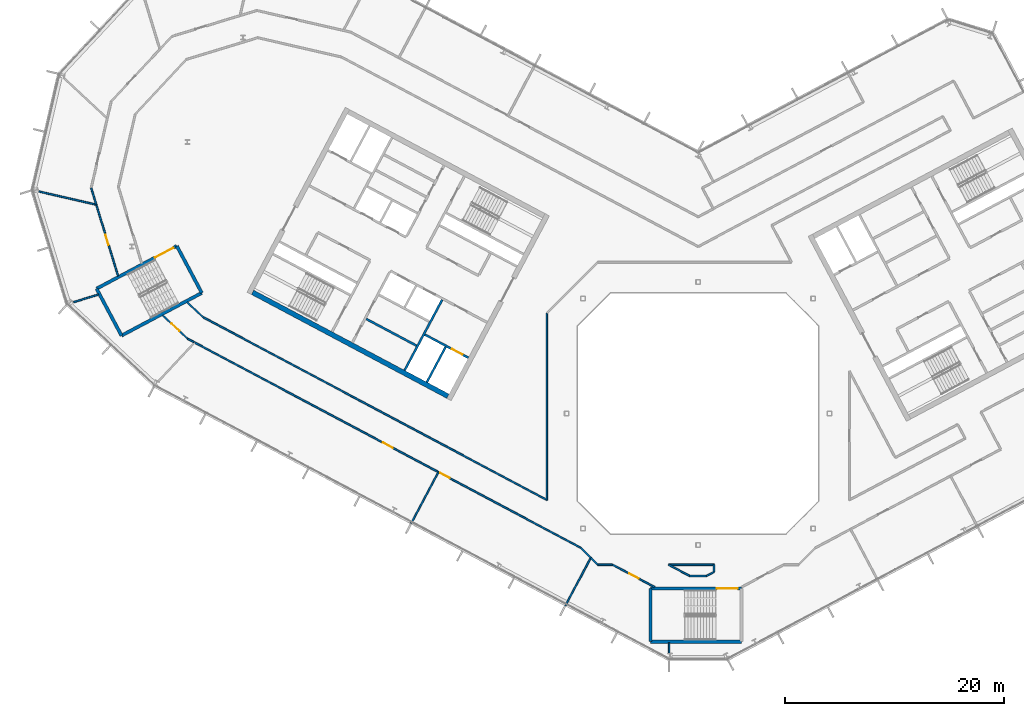
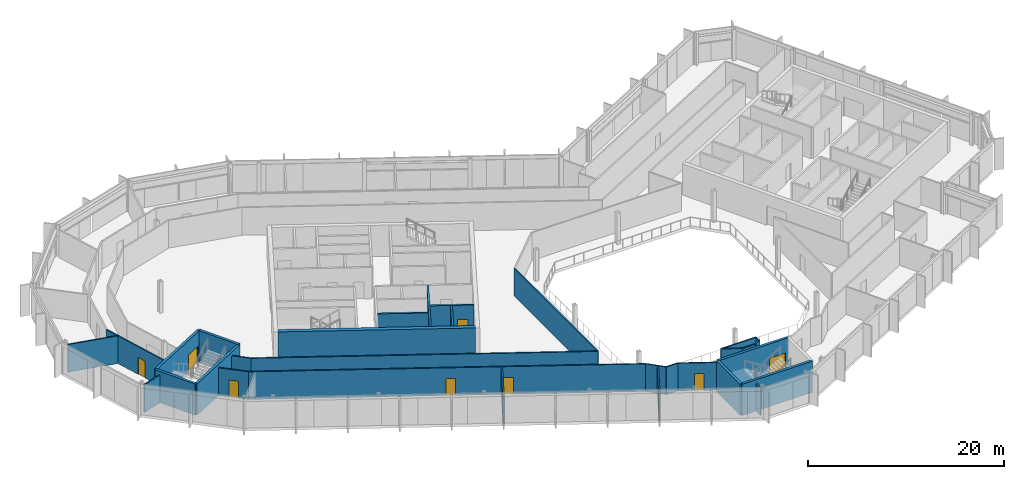
# One storey, part 13 of 26: 34 walls, 8 doors, 8 openings.
"""IFC4 building model written with IfcOpenShell, lengths in metres."""

from ifc_helpers import new_model, si_unit, direction, frame, frame_2d, origin, place, context, subcontext, project, spatial, rectangle, extrude, material, layer, layer_set, type_object, element, fill, save


model = new_model("IFC4")

# Units and contexts
model_context = context("Model", 3, precision=1e-05, world=origin(), true_north=direction((0.0, 1.0)))
body_context = subcontext(model_context, "Body", "Model", "MODEL_VIEW")
ifc_project = project(units=[si_unit("LENGTHUNIT", "METRE"), si_unit("AREAUNIT", "SQUARE_METRE"), si_unit("VOLUMEUNIT", "CUBIC_METRE"), si_unit("PLANEANGLEUNIT", "RADIAN"), si_unit("MASSUNIT", "GRAM", prefix="KILO")], contexts=[model_context])

# Site, building, storey
site_placement = place(None, origin())
site = spatial("IfcSite", under=ifc_project, at=site_placement, CompositionType="ELEMENT")
building_placement = place(site_placement, origin())
building = spatial("IfcBuilding", under=site, at=building_placement, Name="Cormorant Relay Tower", CompositionType="ELEMENT")
storey_placement = place(building_placement, frame((0.0, 0.0, 316.5)))
storey = spatial("IfcBuildingStorey", under=building, at=storey_placement, Name="L72", CompositionType="ELEMENT", Elevation=316.5)

# Walls
ifc_material_1 = material(Name="Concrete 40 MPa", Category="concrete")
ifc_layer_1 = layer(ifc_material_1, 0.199951171875)
ifc_layer_set_1 = layer_set([ifc_layer_1], Name="Core internal wall 200")
wall_type_1 = type_object("IfcWallType", Name="Core internal wall 200", PredefinedType="SOLIDWALL", material=ifc_layer_set_1)
wall_1_placement = place(storey_placement, frame((-25.701904296875, 6.19091796875, 0.0), z_axis=(0.0, 0.0, 1.0), x_axis=(-0.882934506056, 0.469496174655, 0.0)))
element("IfcWall", 1, at=wall_1_placement, inside=storey, type_object=wall_type_1, Name="L72 core A shaft and room wall", PredefinedType="SOLIDWALL", context=body_context, shape_type="SweptSolid", body=[
    extrude(rectangle(XDim=5.199951171875, YDim=0.199951171875, at=frame_2d((2.60009765625, 0.0))), origin(), (0.0, 0.0, 1.0), 3.89990234375),
])
ifc_material_2 = material(Name="Concrete 50 MPa", Category="concrete")
ifc_layer_2 = layer(ifc_material_2, 0.199951171875)
ifc_layer_set_2 = layer_set([ifc_layer_2], Name="Core shaft wall 200")
wall_type_2 = type_object("IfcWallType", Name="Core shaft wall 200", PredefinedType="SHEAR", material=ifc_layer_set_2)
wall_2_placement = place(storey_placement, frame((-23.04296875, 6.07958984375, 0.0), z_axis=(0.0, 0.0, 1.0), x_axis=(-0.469494272526, -0.882935517501, 0.0)))
element("IfcWall", 2, at=wall_2_placement, inside=storey, type_object=wall_type_2, Name="L72 core A shaft wall", PredefinedType="SHEAR", context=body_context, shape_type="SweptSolid", body=[
    extrude(rectangle(XDim=3.64990234375, YDim=0.199951171875, at=frame_2d((1.824951171875, 0.0))), origin(), (0.0, 0.0, 1.0), 3.89990234375),
])
wall_3_placement = place(storey_placement, frame((-23.360107421875, 10.38232421875, 0.0), z_axis=(0.0, 0.0, 1.0), x_axis=(-0.469480409012, -0.88294288918, 0.0)))
element("IfcWall", 3, at=wall_3_placement, inside=storey, type_object=wall_type_2, Name="L72 core A shaft wall", PredefinedType="SHEAR", context=body_context, shape_type="SweptSolid", body=[
    extrude(rectangle(XDim=7.300048828125, YDim=0.199951171875, at=frame_2d((3.64990234375, 0.0))), origin(), (0.0, 0.0, 1.0), 3.89990234375),
])

# Wall, opening, door
wall_4_placement = place(storey_placement, frame((-20.96533203125, 5.088134765625, 0.0), z_axis=(0.0, 0.0, 1.0), x_axis=(-0.882925986334, 0.469512196493, 0.0)))
wall_4 = element("IfcWall", 4, at=wall_4_placement, inside=storey, type_object=wall_type_2, Name="L72 core A shaft wall", PredefinedType="SHEAR", context=body_context, shape_type="SweptSolid", body=[
    extrude(rectangle(XDim=4.5, YDim=0.199951171875, at=frame_2d((2.25, 0.0))), origin(), (0.0, 0.0, 1.0), 3.89990234375),
])
opening_1_placement = place(wall_4_placement, frame((0.60009765625, 0.0, 0.0)))
opening_1 = element("IfcOpeningElement", 5, at=opening_1_placement, cuts=wall_4, Name="Opening LD1-063", PredefinedType="OPENING", context=body_context, shape_type="SweptSolid", body=[
    extrude(rectangle(XDim=1.10009765625, YDim=2.10009765625, at=frame_2d((0.550048828125, 1.050048828125))), frame((0.0, 0.10986328125, 0.0), z_axis=(0.0, -1.0, 0.0), x_axis=(1.0, 0.0, 0.0)), (0.0, 0.0, 1.0), 0.219970703125),
])
ifc_material_3 = material(Name="Stainless steel 316", Category="steel")
door_type_1 = type_object("IfcDoorType", Name="Lift landing door 1100x2100", OperationType="DOUBLE_DOOR_SLIDING", PredefinedType="DOOR", material=ifc_material_3)
door_1_placement = place(opening_1_placement, origin())
door_1 = element("IfcDoor", 6, at=door_1_placement, inside=storey, type_object=door_type_1, Name="FF1 landing door", OperationType="DOUBLE_DOOR_SLIDING", OverallHeight=2.10009765625, OverallWidth=1.10009765625, PredefinedType="DOOR", context=body_context, shape_type="SweptSolid", body=[
    extrude(rectangle(XDim=1.10009765625, YDim=2.10009765625, at=frame_2d((0.550048828125, 1.050048828125))), frame((0.0, 0.02490234375, 0.0), z_axis=(0.0, -1.0, 0.0), x_axis=(1.0, 0.0, 0.0)), (0.0, 0.0, 1.0), 0.050048828125),
])
fill(opening_1, door_1)

# Walls
ifc_material_4 = material(Name="Concrete 50 MPa", Category="concrete")
ifc_layer_3 = layer(ifc_material_4, 0.449951171875)
ifc_layer_set_3 = layer_set([ifc_layer_3], Name="Core wall 450")
wall_type_3 = type_object("IfcWallType", Name="Core wall 450", PredefinedType="SHEAR", material=ifc_layer_set_3)
wall_5_placement = place(storey_placement, frame((-22.83154296875, 1.578369140625, 0.0), z_axis=(0.0, 0.0, 1.0), x_axis=(-0.88294509198, 0.469476266226, 0.0)))
element("IfcWall", 7, at=wall_5_placement, inside=storey, type_object=wall_type_3, Name="L72 core A wall", PredefinedType="SHEAR", context=body_context, shape_type="SweptSolid", body=[
    extrude(rectangle(XDim=20.199951171875, YDim=0.449951171875, at=frame_2d((10.10009765625, 0.0))), origin(), (0.0, 0.0, 1.0), 3.89990234375),
])
ifc_material_5 = material(Name="Gypsum board fire partition")
ifc_layer_4 = layer(ifc_material_5, 0.14990234375)
ifc_layer_set_4 = layer_set([ifc_layer_4], Name="Corridor partition 150 EI 60")
wall_type_4 = type_object("IfcWallType", Name="Corridor partition 150 EI 60", PredefinedType="PARTITIONING", material=ifc_layer_set_4)
wall_6_placement = place(storey_placement, frame((-55.39111328125, 20.580078125, 0.0), z_axis=(0.0, 0.0, 1.0), x_axis=(0.292001611979, -0.956417826372, 0.0)))
element("IfcWall", 8, at=wall_6_placement, inside=storey, type_object=wall_type_4, Name="wall/L72/part/004", PredefinedType="PARTITIONING", context=body_context, shape_type="SweptSolid", body=[
    extrude(rectangle(XDim=1.57275390625, YDim=0.14990234375, at=frame_2d((0.786376953125, 0.0))), origin(), (0.0, 0.0, 1.0), 3.449951171875),
])

# Wall, opening, door
wall_7_placement = place(storey_placement, frame((-52.93701171875, 12.552001953125, 0.0), z_axis=(0.0, 0.0, 1.0), x_axis=(-0.292413096036, 0.956292100389, 0.0)))
wall_7 = element("IfcWall", 9, at=wall_7_placement, inside=storey, type_object=wall_type_4, Name="wall/L72/part/006", PredefinedType="PARTITIONING", context=body_context, shape_type="SweptSolid", body=[
    extrude(rectangle(XDim=6.822021484375, YDim=0.14990234375, at=frame_2d((3.4111328125, 0.0))), origin(), (0.0, 0.0, 1.0), 3.449951171875),
])
opening_2_placement = place(wall_7_placement, frame((2.949951171875, 0.0, 0.0)))
opening_2 = element("IfcOpeningElement", 10, at=opening_2_placement, cuts=wall_7, Name="Opening DS-269", PredefinedType="OPENING", context=body_context, shape_type="SweptSolid", body=[
    extrude(rectangle(XDim=1.0, YDim=2.10009765625, at=frame_2d((0.5, 1.050048828125))), frame((0.0, 0.0849609375, 0.0), z_axis=(0.0, -1.0, 0.0), x_axis=(1.0, 0.0, 0.0)), (0.0, 0.0, 1.0), 0.169921875),
])
ifc_material_6 = material(Name="Timber door leaf", Category="wood")
door_type_2 = type_object("IfcDoorType", Name="Suite door 1000x2100", OperationType="SINGLE_SWING_LEFT", PredefinedType="DOOR", material=ifc_material_6)
door_2_placement = place(opening_2_placement, origin())
door_2 = element("IfcDoor", 11, at=door_2_placement, inside=storey, type_object=door_type_2, Name="door/L72/012", OperationType="SINGLE_SWING_LEFT", OverallHeight=2.10009765625, OverallWidth=1.0, PredefinedType="DOOR", context=body_context, shape_type="SweptSolid", body=[
    extrude(rectangle(XDim=1.0, YDim=2.10009765625, at=frame_2d((0.5, 1.050048828125))), frame((0.0, 0.02490234375, 0.0), z_axis=(0.0, -1.0, 0.0), x_axis=(1.0, 0.0, 0.0)), (0.0, 0.0, 1.0), 0.050048828125),
])
fill(opening_2, door_2)

# Walls
wall_8_placement = place(storey_placement, frame((-13.800048828125, 9.159912109375, 0.0), z_axis=(0.0, 0.0, 1.0), x_axis=(0.0, -1.0, 0.0)))
element("IfcWall", 12, at=wall_8_placement, inside=storey, type_object=wall_type_4, Name="wall/L72/part/023", PredefinedType="PARTITIONING", context=body_context, shape_type="SweptSolid", body=[
    extrude(rectangle(XDim=17.054931640625, YDim=0.14990234375, at=frame_2d((8.52734375, 0.0))), origin(), (0.0, 0.0, 1.0), 3.449951171875),
])
wall_9_placement = place(storey_placement, frame((-13.800048828125, -7.89501953125, 0.0), z_axis=(0.0, 0.0, 1.0), x_axis=(-0.882949728524, 0.469467546161, 0.0)))
element("IfcWall", 13, at=wall_9_placement, inside=storey, type_object=wall_type_4, Name="wall/L72/part/024", PredefinedType="PARTITIONING", context=body_context, shape_type="SweptSolid", body=[
    extrude(rectangle(XDim=35.52734375, YDim=0.14990234375, at=frame_2d((17.763671875, 0.0))), origin(), (0.0, 0.0, 1.0), 3.449951171875),
])
wall_10_placement = place(storey_placement, frame((-45.1689453125, 8.783935546875, 0.0), z_axis=(0.0, 0.0, 1.0), x_axis=(-0.731546653506, 0.681791385795, 0.0)))
element("IfcWall", 14, at=wall_10_placement, inside=storey, type_object=wall_type_4, Name="wall/L72/part/025", PredefinedType="PARTITIONING", context=body_context, shape_type="SweptSolid", body=[
    extrude(rectangle(XDim=2.031494140625, YDim=0.14990234375, at=frame_2d((1.015625, 0.0))), origin(), (0.0, 0.0, 1.0), 3.449951171875),
])
wall_11_placement = place(storey_placement, frame((-45.9970703125, 6.506103515625, 0.0), z_axis=(0.0, 0.0, 1.0), x_axis=(-0.883188174281, 0.469018814986, 0.0)))
element("IfcWall", 15, at=wall_11_placement, inside=storey, type_object=wall_type_4, Name="wall/L72/part/031", PredefinedType="PARTITIONING", context=body_context, shape_type="SweptSolid", body=[
    extrude(rectangle(XDim=0.654296875, YDim=0.14990234375, at=frame_2d((0.3271484375, 0.0))), origin(), (0.0, 0.0, 1.0), 3.449951171875),
])

# Wall, opening, door
wall_12_placement = place(storey_placement, frame((-46.574951171875, 6.81298828125, 0.0), z_axis=(0.0, 0.0, 1.0), x_axis=(-0.731111550609, 0.682257942839, 0.0)))
wall_12 = element("IfcWall", 16, at=wall_12_placement, inside=storey, type_object=wall_type_4, Name="wall/L72/part/032", PredefinedType="PARTITIONING", context=body_context, shape_type="SweptSolid", body=[
    extrude(rectangle(XDim=3.17333984375, YDim=0.14990234375, at=frame_2d((1.586669921875, 0.0))), origin(), (0.0, 0.0, 1.0), 3.449951171875),
])
opening_3_placement = place(wall_12_placement, frame((1.050048828125, 0.0, 0.0)))
opening_3 = element("IfcOpeningElement", 17, at=opening_3_placement, cuts=wall_12, Name="Opening DS-270", PredefinedType="OPENING", context=body_context, shape_type="SweptSolid", body=[
    extrude(rectangle(XDim=1.0, YDim=2.10009765625, at=frame_2d((0.5, 1.050048828125))), frame((0.0, 0.0849609375, 0.0), z_axis=(0.0, -1.0, 0.0), x_axis=(1.0, 0.0, 0.0)), (0.0, 0.0, 1.0), 0.169921875),
])
door_3_placement = place(opening_3_placement, origin())
door_3 = element("IfcDoor", 18, at=door_3_placement, inside=storey, type_object=door_type_2, Name="door/L72/013", OperationType="SINGLE_SWING_RIGHT", OverallHeight=2.10009765625, OverallWidth=1.0, PredefinedType="DOOR", context=body_context, shape_type="SweptSolid", body=[
    extrude(rectangle(XDim=1.0, YDim=2.10009765625, at=frame_2d((0.5, 1.050048828125))), frame((0.0, 0.02490234375, 0.0), z_axis=(0.0, -1.0, 0.0), x_axis=(1.0, 0.0, 0.0)), (0.0, 0.0, 1.0), 0.050048828125),
])
fill(opening_3, door_3)

# Wall, openings, doors
wall_13_placement = place(storey_placement, frame((-10.695068359375, -12.263916015625, 0.0), z_axis=(0.0, 0.0, 1.0), x_axis=(-0.882951614076, 0.469463999899, 0.0)))
wall_13 = element("IfcWall", 19, at=wall_13_placement, inside=storey, type_object=wall_type_4, Name="wall/L72/part/033", PredefinedType="PARTITIONING", context=body_context, shape_type="SweptSolid", body=[
    extrude(rectangle(XDim=39.981689453125, YDim=0.14990234375, at=frame_2d((19.99072265625, 0.0))), origin(), (0.0, 0.0, 1.0), 3.449951171875),
])
opening_4_placement = place(wall_13_placement, frame((19.449951171875, 0.0, 0.0)))
opening_4 = element("IfcOpeningElement", 20, at=opening_4_placement, cuts=wall_13, Name="Opening DS-271", PredefinedType="OPENING", context=body_context, shape_type="SweptSolid", body=[
    extrude(rectangle(XDim=1.0, YDim=2.10009765625, at=frame_2d((0.5, 1.050048828125))), frame((0.0, 0.0849609375, 0.0), z_axis=(0.0, -1.0, 0.0), x_axis=(1.0, 0.0, 0.0)), (0.0, 0.0, 1.0), 0.169921875),
])
opening_5_placement = place(wall_13_placement, frame((13.550048828125, 0.0, 0.0)))
opening_5 = element("IfcOpeningElement", 21, at=opening_5_placement, cuts=wall_13, Name="Opening DS-272", PredefinedType="OPENING", context=body_context, shape_type="SweptSolid", body=[
    extrude(rectangle(XDim=1.0, YDim=2.10009765625, at=frame_2d((0.5, 1.050048828125))), frame((0.0, 0.0849609375, 0.0), z_axis=(0.0, -1.0, 0.0), x_axis=(1.0, 0.0, 0.0)), (0.0, 0.0, 1.0), 0.169921875),
])
door_4_placement = place(opening_4_placement, origin())
door_4 = element("IfcDoor", 22, at=door_4_placement, inside=storey, type_object=door_type_2, Name="door/L72/014", OperationType="SINGLE_SWING_LEFT", OverallHeight=2.10009765625, OverallWidth=1.0, PredefinedType="DOOR", context=body_context, shape_type="SweptSolid", body=[
    extrude(rectangle(XDim=1.0, YDim=2.10009765625, at=frame_2d((0.5, 1.050048828125))), frame((0.0, 0.02490234375, 0.0), z_axis=(0.0, -1.0, 0.0), x_axis=(1.0, 0.0, 0.0)), (0.0, 0.0, 1.0), 0.050048828125),
])
fill(opening_4, door_4)
door_5_placement = place(opening_5_placement, origin())
door_5 = element("IfcDoor", 23, at=door_5_placement, inside=storey, type_object=door_type_2, Name="door/L72/015", OperationType="SINGLE_SWING_RIGHT", OverallHeight=2.10009765625, OverallWidth=1.0, PredefinedType="DOOR", context=body_context, shape_type="SweptSolid", body=[
    extrude(rectangle(XDim=1.0, YDim=2.10009765625, at=frame_2d((0.5, 1.050048828125))), frame((0.0, 0.02490234375, 0.0), z_axis=(0.0, -1.0, 0.0), x_axis=(1.0, 0.0, 0.0)), (0.0, 0.0, 1.0), 0.050048828125),
])
fill(opening_5, door_5)

# Walls
wall_14_placement = place(storey_placement, frame((-9.784912109375, -13.175048828125, 0.0), z_axis=(0.0, 0.0, 1.0), x_axis=(-0.706727533866, 0.707485825212, 0.0)))
element("IfcWall", 24, at=wall_14_placement, inside=storey, type_object=wall_type_4, Name="wall/L72/part/045", PredefinedType="PARTITIONING", context=body_context, shape_type="SweptSolid", body=[
    extrude(rectangle(XDim=1.287841796875, YDim=0.14990234375, at=frame_2d((0.64404296875, 0.0))), origin(), (0.0, 0.0, 1.0), 3.449951171875),
])
wall_15_placement = place(storey_placement, frame((-7.827880859375, -13.800048828125, 0.0), z_axis=(0.0, 0.0, 1.0), x_axis=(-1.0, 0.0, 0.0)))
element("IfcWall", 25, at=wall_15_placement, inside=storey, type_object=wall_type_4, Name="wall/L72/part/046", PredefinedType="PARTITIONING", context=body_context, shape_type="SweptSolid", body=[
    extrude(rectangle(XDim=1.33203125, YDim=0.14990234375, at=frame_2d((0.666015625, 0.0))), origin(), (0.0, 0.0, 1.0), 3.449951171875),
])
wall_16_placement = place(storey_placement, frame((-9.159912109375, -13.800048828125, 0.0), z_axis=(0.0, 0.0, 1.0), x_axis=(-0.707106781187, 0.707106781187, 0.0)))
element("IfcWall", 26, at=wall_16_placement, inside=storey, type_object=wall_type_4, Name="wall/L72/part/047", PredefinedType="PARTITIONING", context=body_context, shape_type="SweptSolid", body=[
    extrude(rectangle(XDim=0.8837890625, YDim=0.14990234375, at=frame_2d((0.44189453125, 0.0))), origin(), (0.0, 0.0, 1.0), 3.449951171875),
])

# Wall, opening, door
wall_17_placement = place(storey_placement, frame((-3.955078125, -15.847900390625, 0.0), z_axis=(0.0, 0.0, 1.0), x_axis=(-0.882965680306, 0.469437543665, 0.0)))
wall_17 = element("IfcWall", 27, at=wall_17_placement, inside=storey, type_object=wall_type_4, Name="wall/L72/part/048", PredefinedType="PARTITIONING", context=body_context, shape_type="SweptSolid", body=[
    extrude(rectangle(XDim=4.3623046875, YDim=0.14990234375, at=frame_2d((2.18115234375, 0.0))), origin(), (0.0, 0.0, 1.0), 3.449951171875),
])
opening_6_placement = place(wall_17_placement, frame((1.64990234375, 0.0, 0.0)))
opening_6 = element("IfcOpeningElement", 28, at=opening_6_placement, cuts=wall_17, Name="Opening DS-273", PredefinedType="OPENING", context=body_context, shape_type="SweptSolid", body=[
    extrude(rectangle(XDim=1.0, YDim=2.10009765625, at=frame_2d((0.5, 1.050048828125))), frame((0.0, 0.0849609375, 0.0), z_axis=(0.0, -1.0, 0.0), x_axis=(1.0, 0.0, 0.0)), (0.0, 0.0, 1.0), 0.169921875),
])
door_6_placement = place(opening_6_placement, origin())
door_6 = element("IfcDoor", 29, at=door_6_placement, inside=storey, type_object=door_type_2, Name="door/L72/016", OperationType="SINGLE_SWING_LEFT", OverallHeight=2.10009765625, OverallWidth=1.0, PredefinedType="DOOR", context=body_context, shape_type="SweptSolid", body=[
    extrude(rectangle(XDim=1.0, YDim=2.10009765625, at=frame_2d((0.5, 1.050048828125))), frame((0.0, 0.02490234375, 0.0), z_axis=(0.0, -1.0, 0.0), x_axis=(1.0, 0.0, 0.0)), (0.0, 0.0, 1.0), 0.050048828125),
])
fill(opening_6, door_6)

# Walls
wall_18_placement = place(storey_placement, frame((-0.76611328125, -14.825927734375, 0.0), z_axis=(0.0, 0.0, 1.0), x_axis=(1.0, 0.0, 0.0)))
element("IfcWall", 30, at=wall_18_placement, inside=storey, type_object=wall_type_4, Name="wall/L72/part/067", PredefinedType="PARTITIONING", context=body_context, shape_type="SweptSolid", body=[
    extrude(rectangle(XDim=1.5322265625, YDim=0.14990234375, at=frame_2d((0.76611328125, 0.0))), origin(), (0.0, 0.0, 1.0), 3.449951171875),
])
wall_19_placement = place(storey_placement, frame((0.76611328125, -14.825927734375, 0.0), z_axis=(0.0, 0.0, 1.0), x_axis=(0.882727784354, 0.469884729194, 0.0)))
element("IfcWall", 31, at=wall_19_placement, inside=storey, type_object=wall_type_4, Name="wall/L72/part/068", PredefinedType="PARTITIONING", context=body_context, shape_type="SweptSolid", body=[
    extrude(rectangle(XDim=0.774658203125, YDim=0.14990234375, at=frame_2d((0.38720703125, 0.0))), origin(), (0.0, 0.0, 1.0), 3.449951171875),
])
wall_20_placement = place(storey_placement, frame((1.449951171875, -14.4619140625, 0.0), z_axis=(0.0, 0.0, 1.0), x_axis=(0.0, 1.0, 0.0)))
element("IfcWall", 32, at=wall_20_placement, inside=storey, type_object=wall_type_4, Name="wall/L72/part/069", PredefinedType="PARTITIONING", context=body_context, shape_type="SweptSolid", body=[
    extrude(rectangle(XDim=0.661865234375, YDim=0.14990234375, at=frame_2d((0.3310546875, 0.0))), origin(), (0.0, 0.0, 1.0), 3.449951171875),
])
wall_21_placement = place(storey_placement, frame((1.449951171875, -13.800048828125, 0.0), z_axis=(0.0, 0.0, 1.0), x_axis=(-1.0, 0.0, 0.0)))
element("IfcWall", 33, at=wall_21_placement, inside=storey, type_object=wall_type_4, Name="wall/L72/part/070", PredefinedType="PARTITIONING", context=body_context, shape_type="SweptSolid", body=[
    extrude(rectangle(XDim=4.14501953125, YDim=0.14990234375, at=frame_2d((2.072509765625, 0.0))), origin(), (0.0, 0.0, 1.0), 3.449951171875),
])
wall_22_placement = place(storey_placement, frame((-2.695068359375, -13.800048828125, 0.0), z_axis=(0.0, 0.0, 1.0), x_axis=(0.882902945881, -0.469555521908, 0.0)))
element("IfcWall", 34, at=wall_22_placement, inside=storey, type_object=wall_type_4, Name="wall/L72/part/071", PredefinedType="PARTITIONING", context=body_context, shape_type="SweptSolid", body=[
    extrude(rectangle(XDim=2.184814453125, YDim=0.14990234375, at=frame_2d((1.09228515625, 0.0))), origin(), (0.0, 0.0, 1.0), 3.449951171875),
])
ifc_material_7 = material(Name="Concrete 50 MPa", Category="concrete")
ifc_layer_5 = layer(ifc_material_7, 0.300048828125)
ifc_layer_set_5 = layer_set([ifc_layer_5], Name="Remote stair wall 300")
wall_type_5 = type_object("IfcWallType", Name="Remote stair wall 300", PredefinedType="SHEAR", material=ifc_layer_set_5)
wall_23_placement = place(storey_placement, frame((3.949951171875, -20.824951171875, 0.0), z_axis=(0.0, 0.0, 1.0), x_axis=(-1.0, 0.0, 0.0)))
element("IfcWall", 35, at=wall_23_placement, inside=storey, type_object=wall_type_5, Name="L72 exit stair RK1 wall", PredefinedType="SHEAR", context=body_context, shape_type="SweptSolid", body=[
    extrude(rectangle(XDim=8.300048828125, YDim=0.300048828125, at=frame_2d((4.14990234375, 0.0))), origin(), (0.0, 0.0, 1.0), 3.89990234375),
])
wall_24_placement = place(storey_placement, frame((-4.35009765625, -20.824951171875, 0.0), z_axis=(0.0, 0.0, 1.0), x_axis=(0.0, 1.0, 0.0)))
element("IfcWall", 36, at=wall_24_placement, inside=storey, type_object=wall_type_5, Name="L72 exit stair RK1 wall", PredefinedType="SHEAR", context=body_context, shape_type="SweptSolid", body=[
    extrude(rectangle(XDim=4.849853515625, YDim=0.300048828125, at=frame_2d((2.4248046875, 0.0))), origin(), (0.0, 0.0, 1.0), 3.89990234375),
])

# Wall, opening, door
wall_25_placement = place(storey_placement, frame((-4.35009765625, -15.97509765625, 0.0), z_axis=(0.0, 0.0, 1.0), x_axis=(1.0, 0.0, 0.0)))
wall_25 = element("IfcWall", 37, at=wall_25_placement, inside=storey, type_object=wall_type_5, Name="L72 exit stair RK1 wall", PredefinedType="SHEAR", context=body_context, shape_type="SweptSolid", body=[
    extrude(rectangle(XDim=8.300048828125, YDim=0.300048828125, at=frame_2d((4.14990234375, 0.0))), origin(), (0.0, 0.0, 1.0), 3.89990234375),
])
opening_7_placement = place(wall_25_placement, frame((6.050048828125, 0.0, 0.0)))
opening_7 = element("IfcOpeningElement", 38, at=opening_7_placement, cuts=wall_25, Name="Opening CDE-014", PredefinedType="OPENING", context=body_context, shape_type="SweptSolid", body=[
    extrude(rectangle(XDim=1.89990234375, YDim=2.10009765625, at=frame_2d((0.949951171875, 1.050048828125))), frame((0.0, 0.159912109375, 0.0), z_axis=(0.0, -1.0, 0.0), x_axis=(1.0, 0.0, 0.0)), (0.0, 0.0, 1.0), 0.320068359375),
])
ifc_material_8 = material(Name="Steel fire door", Category="steel")
door_type_3 = type_object("IfcDoorType", Name="Remote stair door 1900x2100", OperationType="DOUBLE_DOOR_SINGLE_SWING", PredefinedType="DOOR", material=ifc_material_8)
door_7_placement = place(opening_7_placement, frame((1.89990234375, 0.0, 0.0), z_axis=(0.0, 0.0, 1.0), x_axis=(-1.0, 0.0, 0.0)))
door_7 = element("IfcDoor", 39, at=door_7_placement, inside=storey, type_object=door_type_3, Name="Exit stair RK1 door", OperationType="DOUBLE_DOOR_SINGLE_SWING", OverallHeight=2.10009765625, OverallWidth=1.89990234375, PredefinedType="DOOR", context=body_context, shape_type="SweptSolid", body=[
    extrude(rectangle(XDim=1.89990234375, YDim=2.10009765625, at=frame_2d((0.949951171875, 1.050048828125))), frame((0.0, 0.02490234375, 0.0), z_axis=(0.0, -1.0, 0.0), x_axis=(1.0, 0.0, 0.0)), (0.0, 0.0, 1.0), 0.050048828125),
])
fill(opening_7, door_7)

# Walls
wall_26_placement = place(storey_placement, frame((-47.57421875, 15.28955078125, 0.0), z_axis=(0.0, 0.0, 1.0), x_axis=(0.469443498566, -0.882962514297, 0.0)))
element("IfcWall", 40, at=wall_26_placement, inside=storey, type_object=wall_type_5, Name="L72 exit stair RP1 wall", PredefinedType="SHEAR", context=body_context, shape_type="SweptSolid", body=[
    extrude(rectangle(XDim=4.85009765625, YDim=0.300048828125, at=frame_2d((2.425048828125, 0.0))), origin(), (0.0, 0.0, 1.0), 3.89990234375),
])
wall_27_placement = place(storey_placement, frame((-45.29736328125, 11.007080078125, 0.0), z_axis=(0.0, 0.0, 1.0), x_axis=(-0.882951519127, -0.469464178475, 0.0)))
element("IfcWall", 41, at=wall_27_placement, inside=storey, type_object=wall_type_5, Name="L72 exit stair RP1 wall", PredefinedType="SHEAR", context=body_context, shape_type="SweptSolid", body=[
    extrude(rectangle(XDim=8.2998046875, YDim=0.300048828125, at=frame_2d((4.14990234375, 0.0))), origin(), (0.0, 0.0, 1.0), 3.89990234375),
])
wall_28_placement = place(storey_placement, frame((-52.625732421875, 7.110595703125, 0.0), z_axis=(0.0, 0.0, 1.0), x_axis=(-0.469464364128, 0.882951420416, 0.0)))
element("IfcWall", 42, at=wall_28_placement, inside=storey, type_object=wall_type_5, Name="L72 exit stair RP1 wall", PredefinedType="SHEAR", context=body_context, shape_type="SweptSolid", body=[
    extrude(rectangle(XDim=4.849853515625, YDim=0.300048828125, at=frame_2d((2.4248046875, 0.0))), origin(), (0.0, 0.0, 1.0), 3.89990234375),
])

# Wall, opening, door
wall_29_placement = place(storey_placement, frame((-54.902587890625, 11.392822265625, 0.0), z_axis=(0.0, 0.0, 1.0), x_axis=(0.882939326045, 0.469487110071, 0.0)))
wall_29 = element("IfcWall", 43, at=wall_29_placement, inside=storey, type_object=wall_type_5, Name="L72 exit stair RP1 wall", PredefinedType="SHEAR", context=body_context, shape_type="SweptSolid", body=[
    extrude(rectangle(XDim=8.300048828125, YDim=0.300048828125, at=frame_2d((4.14990234375, 0.0))), origin(), (0.0, 0.0, 1.0), 3.89990234375),
])
opening_8_placement = place(wall_29_placement, frame((6.050048828125, 0.0, 0.0)))
opening_8 = element("IfcOpeningElement", 44, at=opening_8_placement, cuts=wall_29, Name="Opening CDE-015", PredefinedType="OPENING", context=body_context, shape_type="SweptSolid", body=[
    extrude(rectangle(XDim=1.89990234375, YDim=2.10009765625, at=frame_2d((0.949951171875, 1.050048828125))), frame((0.0, 0.159912109375, 0.0), z_axis=(0.0, -1.0, 0.0), x_axis=(1.0, 0.0, 0.0)), (0.0, 0.0, 1.0), 0.320068359375),
])
door_8_placement = place(opening_8_placement, frame((1.89990234375, 0.0, 0.0), z_axis=(0.0, 0.0, 1.0), x_axis=(-1.0, 0.0, 0.0)))
door_8 = element("IfcDoor", 45, at=door_8_placement, inside=storey, type_object=door_type_3, Name="Exit stair RP1 door", OperationType="DOUBLE_DOOR_SINGLE_SWING", OverallHeight=2.10009765625, OverallWidth=1.89990234375, PredefinedType="DOOR", context=body_context, shape_type="SweptSolid", body=[
    extrude(rectangle(XDim=1.89990234375, YDim=2.10009765625, at=frame_2d((0.949951171875, 1.050048828125))), frame((0.0, 0.02490234375, 0.0), z_axis=(0.0, -1.0, 0.0), x_axis=(1.0, 0.0, 0.0)), (0.0, 0.0, 1.0), 0.050048828125),
])
fill(opening_8, door_8)

# Walls
ifc_material_9 = material(Name="Gypsum board partition")
ifc_layer_6 = layer(ifc_material_9, 0.14990234375)
ifc_layer_set_6 = layer_set([ifc_layer_6], Name="Tenant partition 150")
wall_type_6 = type_object("IfcWallType", Name="Tenant partition 150", PredefinedType="PARTITIONING", material=ifc_layer_set_6)
wall_30_placement = place(storey_placement, frame((-54.926025390625, 19.055908203125, 0.0), z_axis=(0.0, 0.0, 1.0), x_axis=(-0.974353783865, 0.225021563117, 0.0)))
element("IfcWall", 46, at=wall_30_placement, inside=storey, type_object=wall_type_6, Name="wall/L72/part/001", PredefinedType="PARTITIONING", context=body_context, shape_type="SweptSolid", body=[
    extrude(rectangle(XDim=5.39111328125, YDim=0.14990234375, at=frame_2d((2.695556640625, 0.0))), origin(), (0.0, 0.0, 1.0), 3.449951171875),
])
wall_31_placement = place(storey_placement, frame((-54.73193359375, 10.85693359375, 0.0), z_axis=(0.0, 0.0, 1.0), x_axis=(-0.956231519395, -0.292611143525, 0.0)))
element("IfcWall", 47, at=wall_31_placement, inside=storey, type_object=wall_type_6, Name="wall/L72/part/003", PredefinedType="PARTITIONING", context=body_context, shape_type="SweptSolid", body=[
    extrude(rectangle(XDim=2.385498046875, YDim=0.14990234375, at=frame_2d((1.19287109375, 0.0))), origin(), (0.0, 0.0, 1.0), 3.449951171875),
])
wall_32_placement = place(storey_placement, frame((-23.701904296875, -5.347900390625, 0.0), z_axis=(0.0, 0.0, 1.0), x_axis=(-0.469522163358, -0.882920686198, 0.0)))
element("IfcWall", 48, at=wall_32_placement, inside=storey, type_object=wall_type_6, Name="wall/L72/part/028", PredefinedType="PARTITIONING", context=body_context, shape_type="SweptSolid", body=[
    extrude(rectangle(XDim=5.3505859375, YDim=0.14990234375, at=frame_2d((2.67529296875, 0.0))), origin(), (0.0, 0.0, 1.0), 3.449951171875),
])
wall_33_placement = place(storey_placement, frame((-9.7939453125, -13.1650390625, 0.0), z_axis=(0.0, 0.0, 1.0), x_axis=(-0.469669090987, -0.882842536906, 0.0)))
element("IfcWall", 49, at=wall_33_placement, inside=storey, type_object=wall_type_6, Name="wall/L72/part/044", PredefinedType="PARTITIONING", context=body_context, shape_type="SweptSolid", body=[
    extrude(rectangle(XDim=4.978271484375, YDim=0.14990234375, at=frame_2d((2.4892578125, 0.0))), origin(), (0.0, 0.0, 1.0), 3.449951171875),
])
wall_34_placement = place(storey_placement, frame((-2.64892578125, -20.925048828125, 0.0), z_axis=(0.0, 0.0, 1.0), x_axis=(0.0, -1.0, 0.0)))
element("IfcWall", 50, at=wall_34_placement, inside=storey, type_object=wall_type_6, Name="wall/L72/part/049", PredefinedType="PARTITIONING", context=body_context, shape_type="SweptSolid", body=[
    extrude(rectangle(XDim=0.966064453125, YDim=0.14990234375, at=frame_2d((0.48291015625, 0.0))), origin(), (0.0, 0.0, 1.0), 3.449951171875),
])

save(model, "model.ifc")
